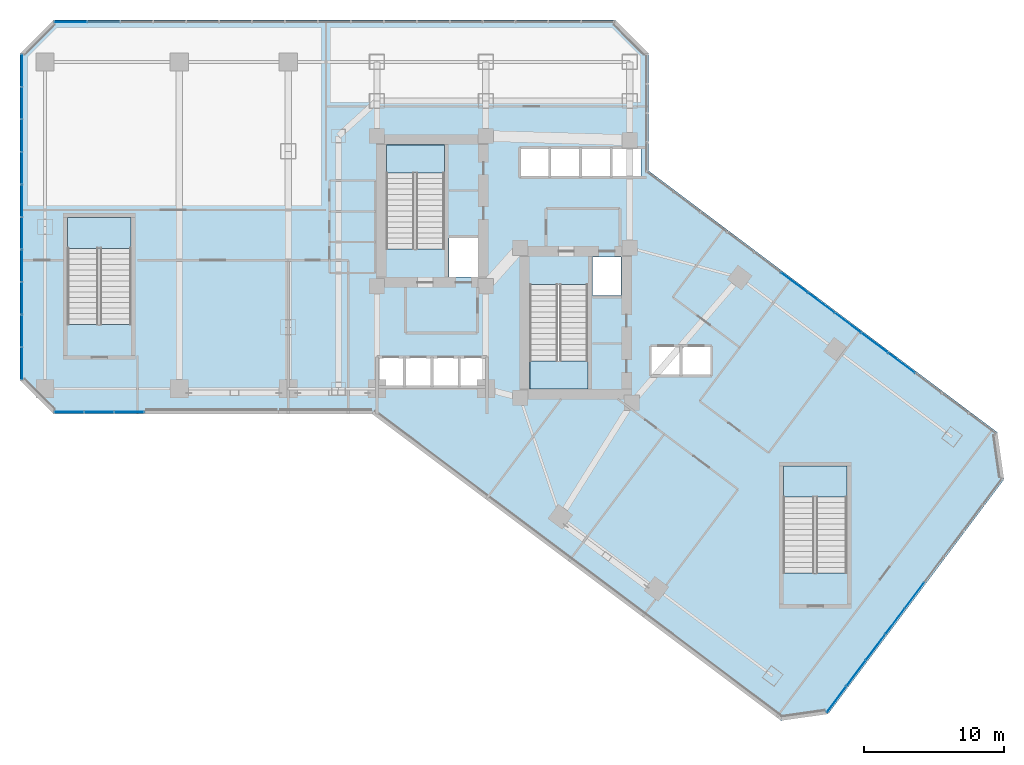
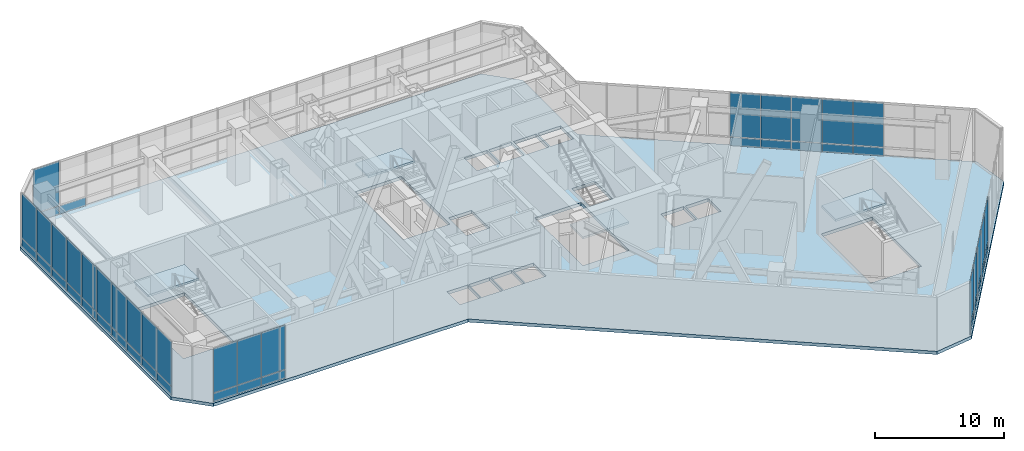
# One storey, part 24 of 35: 49 plates, 5 slabs, 9 elements without a shape of their own.
"""IFC4 building model written with IfcOpenShell, lengths in metres."""

from ifc_helpers import new_model, si_unit, direction, frame, origin, origin_2d, place, context, subcontext, project, spatial, polyline, rectangle, outline, extrude, material, layer, layer_set, type_object, element, aggregate, save


model = new_model("IFC4")

# Units and contexts
model_context = context("Model", 3, precision=1e-05, world=origin(), true_north=direction((0.0, 1.0)))
body_context = subcontext(model_context, "Body", "Model", "MODEL_VIEW")
ifc_project = project(units=[si_unit("LENGTHUNIT", "METRE"), si_unit("AREAUNIT", "SQUARE_METRE"), si_unit("VOLUMEUNIT", "CUBIC_METRE"), si_unit("PLANEANGLEUNIT", "RADIAN"), si_unit("MASSUNIT", "GRAM", prefix="KILO")], contexts=[model_context])

# Site, building, storey
site_placement = place(None, origin())
site = spatial("IfcSite", under=ifc_project, at=site_placement, CompositionType="ELEMENT")
building_placement = place(site_placement, origin())
building = spatial("IfcBuilding", under=site, at=building_placement, Name="Hatsunagi Terrace Concourse", CompositionType="ELEMENT")
storey_placement = place(building_placement, frame((0.0, 0.0, 5.39990234375)))
storey = spatial("IfcBuildingStorey", under=building, at=storey_placement, Name="L02", CompositionType="ELEMENT", Elevation=5.39990234375)

# Curtain wall, plates
ifc_material_1 = material(Name="Anodised Aluminium Alloy 6063-T5", Category="aluminium")
ifc_layer_1 = layer(ifc_material_1, 0.199951171875)
ifc_layer_set_1 = layer_set([ifc_layer_1], Name="PodiumStorefront_CW01")
curtain_wall_type = type_object("IfcCurtainWallType", Name="PodiumStorefront_CW01", PredefinedType="NOTDEFINED", material=ifc_layer_set_1)
curtain_wall_1_placement = place(storey_placement, origin())
curtain_wall_1 = element("IfcCurtainWall", 1, at=curtain_wall_1_placement, inside=storey, type_object=curtain_wall_type, Name="Unitised Curtain Wall CW-01 CW-L02-01", PredefinedType="NOTDEFINED")
ifc_material_2 = material(Name="Warm Terracotta Ceramic Spandrel Panel", Category="masonry")
ifc_layer_2 = layer(ifc_material_2, 0.031982421875)
ifc_layer_set_2 = layer_set([ifc_layer_2], Name="CurtainWallSpandrelPanel_32")
plate_type_1 = type_object("IfcPlateType", Name="CurtainWallSpandrelPanel_32", PredefinedType="SHEET", material=ifc_layer_set_2)
plate_1_placement = place(storey_placement, frame((55.424072265625, 32.806884765625, 0.030029296875), z_axis=(0.0, 0.0, 1.0), x_axis=(0.800007305671, -0.599990258982, 0.0)))
plate_1 = element("IfcPlate", 2, at=plate_1_placement, type_object=plate_type_1, Name="Terracotta Spandrel Panel SPN-01", PredefinedType="SHEET", context=body_context, shape_type="SweptSolid", body=[
    extrude(rectangle(XDim=2.345947265625, YDim=0.031982421875, at=origin_2d()), origin(), (0.0, 0.0, 1.0), 0.7900390625),
])
plate_2_placement = place(storey_placement, frame((57.344970703125, 31.365966796875, 0.030029296875), z_axis=(0.0, 0.0, 1.0), x_axis=(0.800007305671, -0.599990258982, 0.0)))
plate_2 = element("IfcPlate", 3, at=plate_2_placement, type_object=plate_type_1, Name="Terracotta Spandrel Panel SPN-01", PredefinedType="SHEET", context=body_context, shape_type="SweptSolid", body=[
    extrude(rectangle(XDim=2.345947265625, YDim=0.031982421875, at=origin_2d()), origin(), (0.0, 0.0, 1.0), 0.7900390625),
])
plate_3_placement = place(storey_placement, frame((59.26611328125, 29.926025390625, 0.030029296875), z_axis=(0.0, 0.0, 1.0), x_axis=(0.800007305671, -0.599990258982, 0.0)))
plate_3 = element("IfcPlate", 4, at=plate_3_placement, type_object=plate_type_1, Name="Terracotta Spandrel Panel SPN-01", PredefinedType="SHEET", context=body_context, shape_type="SweptSolid", body=[
    extrude(rectangle(XDim=2.345947265625, YDim=0.031982421875, at=origin_2d()), origin(), (0.0, 0.0, 1.0), 0.7900390625),
])
plate_4_placement = place(storey_placement, frame((61.18701171875, 28.485107421875, 0.030029296875), z_axis=(0.0, 0.0, 1.0), x_axis=(0.800007305671, -0.599990258982, 0.0)))
plate_4 = element("IfcPlate", 5, at=plate_4_placement, type_object=plate_type_1, Name="Terracotta Spandrel Panel SPN-01", PredefinedType="SHEET", context=body_context, shape_type="SweptSolid", body=[
    extrude(rectangle(XDim=2.345947265625, YDim=0.031982421875, at=origin_2d()), origin(), (0.0, 0.0, 1.0), 0.7900390625),
])
plate_5_placement = place(storey_placement, frame((63.10693359375, 27.044921875, 0.030029296875), z_axis=(0.0, 0.0, 1.0), x_axis=(0.800007305671, -0.599990258982, 0.0)))
plate_5 = element("IfcPlate", 6, at=plate_5_placement, type_object=plate_type_1, Name="Terracotta Spandrel Panel SPN-01", PredefinedType="SHEET", context=body_context, shape_type="SweptSolid", body=[
    extrude(rectangle(XDim=2.345947265625, YDim=0.031982421875, at=origin_2d()), origin(), (0.0, 0.0, 1.0), 0.7900390625),
])

curtain_wall_2_placement = place(storey_placement, origin())
curtain_wall_2 = element("IfcCurtainWall", 7, at=curtain_wall_2_placement, inside=storey, type_object=curtain_wall_type, Name="Unitised Curtain Wall CW-01 CW-L02-03", PredefinedType="NOTDEFINED")
plate_6_placement = place(storey_placement, frame((64.028076171875, 10.404052734375, 0.030029296875), z_axis=(0.0, 0.0, 1.0), x_axis=(-0.599969314634, -0.800023013105, 0.0)))
plate_6 = element("IfcPlate", 8, at=plate_6_placement, type_object=plate_type_1, Name="Terracotta Spandrel Panel SPN-01", PredefinedType="SHEET", context=body_context, shape_type="SweptSolid", body=[
    extrude(rectangle(XDim=2.264892578125, YDim=0.031982421875, at=origin_2d()), origin(), (0.0, 0.0, 1.0), 0.7900390625),
])
plate_7_placement = place(storey_placement, frame((62.635986328125, 8.548095703125, 0.030029296875), z_axis=(0.0, 0.0, 1.0), x_axis=(-0.599969314634, -0.800023013105, 0.0)))
plate_7 = element("IfcPlate", 9, at=plate_7_placement, type_object=plate_type_1, Name="Terracotta Spandrel Panel SPN-01", PredefinedType="SHEET", context=body_context, shape_type="SweptSolid", body=[
    extrude(rectangle(XDim=2.264892578125, YDim=0.031982421875, at=origin_2d()), origin(), (0.0, 0.0, 1.0), 0.7900390625),
])
plate_8_placement = place(storey_placement, frame((61.243896484375, 6.69091796875, 0.030029296875), z_axis=(0.0, 0.0, 1.0), x_axis=(-0.599969314634, -0.800023013105, 0.0)))
plate_8 = element("IfcPlate", 10, at=plate_8_placement, type_object=plate_type_1, Name="Terracotta Spandrel Panel SPN-01", PredefinedType="SHEET", context=body_context, shape_type="SweptSolid", body=[
    extrude(rectangle(XDim=2.264892578125, YDim=0.031982421875, at=origin_2d()), origin(), (0.0, 0.0, 1.0), 0.7900390625),
])
plate_9_placement = place(storey_placement, frame((59.85107421875, 4.8349609375, 0.030029296875), z_axis=(0.0, 0.0, 1.0), x_axis=(-0.599969314634, -0.800023013105, 0.0)))
plate_9 = element("IfcPlate", 11, at=plate_9_placement, type_object=plate_type_1, Name="Terracotta Spandrel Panel SPN-01", PredefinedType="SHEET", context=body_context, shape_type="SweptSolid", body=[
    extrude(rectangle(XDim=2.264892578125, YDim=0.031982421875, at=origin_2d()), origin(), (0.0, 0.0, 1.0), 0.7900390625),
])
plate_10_placement = place(storey_placement, frame((58.458984375, 2.97802734375, 0.030029296875), z_axis=(0.0, 0.0, 1.0), x_axis=(-0.599969314634, -0.800023013105, 0.0)))
plate_10 = element("IfcPlate", 12, at=plate_10_placement, type_object=plate_type_1, Name="Terracotta Spandrel Panel SPN-01", PredefinedType="SHEET", context=body_context, shape_type="SweptSolid", body=[
    extrude(rectangle(XDim=2.264892578125, YDim=0.031982421875, at=origin_2d()), origin(), (0.0, 0.0, 1.0), 0.7900390625),
])

curtain_wall_3_placement = place(storey_placement, origin())
curtain_wall_3 = element("IfcCurtainWall", 13, at=curtain_wall_3_placement, inside=storey, type_object=curtain_wall_type, Name="Unitised Curtain Wall CW-01 CW-L02-08", PredefinedType="NOTDEFINED")
plate_11_placement = place(storey_placement, frame((7.825927734375, 23.5400390625, 0.030029296875), z_axis=(0.0, 0.0, 1.0), x_axis=(-1.0, 0.0, 0.0)))
plate_11 = element("IfcPlate", 14, at=plate_11_placement, type_object=plate_type_1, Name="Terracotta Spandrel Panel SPN-01", PredefinedType="SHEET", context=body_context, shape_type="SweptSolid", body=[
    extrude(rectangle(XDim=2.092041015625, YDim=0.031982421875, at=origin_2d()), origin(), (0.0, 0.0, 1.0), 0.7900390625),
])
plate_12_placement = place(storey_placement, frame((5.678955078125, 23.5400390625, 0.030029296875), z_axis=(0.0, 0.0, 1.0), x_axis=(-1.0, 0.0, 0.0)))
plate_12 = element("IfcPlate", 15, at=plate_12_placement, type_object=plate_type_1, Name="Terracotta Spandrel Panel SPN-01", PredefinedType="SHEET", context=body_context, shape_type="SweptSolid", body=[
    extrude(rectangle(XDim=2.092041015625, YDim=0.031982421875, at=origin_2d()), origin(), (0.0, 0.0, 1.0), 0.7900390625),
])
plate_13_placement = place(storey_placement, frame((3.531982421875, 23.5400390625, 0.030029296875), z_axis=(0.0, 0.0, 1.0), x_axis=(-1.0, 0.0, 0.0)))
plate_13 = element("IfcPlate", 16, at=plate_13_placement, type_object=plate_type_1, Name="Terracotta Spandrel Panel SPN-01", PredefinedType="SHEET", context=body_context, shape_type="SweptSolid", body=[
    extrude(rectangle(XDim=2.092041015625, YDim=0.031982421875, at=origin_2d()), origin(), (0.0, 0.0, 1.0), 0.7900390625),
])

curtain_wall_4_placement = place(storey_placement, origin())
curtain_wall_4 = element("IfcCurtainWall", 17, at=curtain_wall_4_placement, inside=storey, type_object=curtain_wall_type, Name="Unitised Curtain Wall CW-01 CW-L02-10", PredefinedType="NOTDEFINED")
plate_14_placement = place(storey_placement, frame((0.139892578125, 27.02197265625, 0.030029296875), z_axis=(0.0, 0.0, 1.0), x_axis=(0.0, 1.0, 0.0)))
plate_14 = element("IfcPlate", 18, at=plate_14_placement, type_object=plate_type_1, Name="Terracotta Spandrel Panel SPN-01", PredefinedType="SHEET", context=body_context, shape_type="SweptSolid", body=[
    extrude(rectangle(XDim=2.27294921875, YDim=0.031982421875, at=origin_2d()), origin(), (0.0, 0.0, 1.0), 0.7900390625),
])
plate_15_placement = place(storey_placement, frame((0.139892578125, 29.35107421875, 0.030029296875), z_axis=(0.0, 0.0, 1.0), x_axis=(0.0, 1.0, 0.0)))
plate_15 = element("IfcPlate", 19, at=plate_15_placement, type_object=plate_type_1, Name="Terracotta Spandrel Panel SPN-01", PredefinedType="SHEET", context=body_context, shape_type="SweptSolid", body=[
    extrude(rectangle(XDim=2.27294921875, YDim=0.031982421875, at=origin_2d()), origin(), (0.0, 0.0, 1.0), 0.7900390625),
])
plate_16_placement = place(storey_placement, frame((0.139892578125, 31.678955078125, 0.030029296875), z_axis=(0.0, 0.0, 1.0), x_axis=(0.0, 1.0, 0.0)))
plate_16 = element("IfcPlate", 20, at=plate_16_placement, type_object=plate_type_1, Name="Terracotta Spandrel Panel SPN-01", PredefinedType="SHEET", context=body_context, shape_type="SweptSolid", body=[
    extrude(rectangle(XDim=2.27294921875, YDim=0.031982421875, at=origin_2d()), origin(), (0.0, 0.0, 1.0), 0.7900390625),
])
plate_17_placement = place(storey_placement, frame((0.139892578125, 34.007080078125, 0.030029296875), z_axis=(0.0, 0.0, 1.0), x_axis=(0.0, 1.0, 0.0)))
plate_17 = element("IfcPlate", 21, at=plate_17_placement, type_object=plate_type_1, Name="Terracotta Spandrel Panel SPN-01", PredefinedType="SHEET", context=body_context, shape_type="SweptSolid", body=[
    extrude(rectangle(XDim=2.27294921875, YDim=0.031982421875, at=origin_2d()), origin(), (0.0, 0.0, 1.0), 0.7900390625),
])
plate_18_placement = place(storey_placement, frame((0.139892578125, 36.3359375, 0.030029296875), z_axis=(0.0, 0.0, 1.0), x_axis=(0.0, 1.0, 0.0)))
plate_18 = element("IfcPlate", 22, at=plate_18_placement, type_object=plate_type_1, Name="Terracotta Spandrel Panel SPN-01", PredefinedType="SHEET", context=body_context, shape_type="SweptSolid", body=[
    extrude(rectangle(XDim=2.27294921875, YDim=0.031982421875, at=origin_2d()), origin(), (0.0, 0.0, 1.0), 0.7900390625),
])
plate_19_placement = place(storey_placement, frame((0.139892578125, 38.6640625, 0.030029296875), z_axis=(0.0, 0.0, 1.0), x_axis=(0.0, 1.0, 0.0)))
plate_19 = element("IfcPlate", 23, at=plate_19_placement, type_object=plate_type_1, Name="Terracotta Spandrel Panel SPN-01", PredefinedType="SHEET", context=body_context, shape_type="SweptSolid", body=[
    extrude(rectangle(XDim=2.27294921875, YDim=0.031982421875, at=origin_2d()), origin(), (0.0, 0.0, 1.0), 0.7900390625),
])
plate_20_placement = place(storey_placement, frame((0.139892578125, 40.992919921875, 0.030029296875), z_axis=(0.0, 0.0, 1.0), x_axis=(0.0, 1.0, 0.0)))
plate_20 = element("IfcPlate", 24, at=plate_20_placement, type_object=plate_type_1, Name="Terracotta Spandrel Panel SPN-01", PredefinedType="SHEET", context=body_context, shape_type="SweptSolid", body=[
    extrude(rectangle(XDim=2.27294921875, YDim=0.031982421875, at=origin_2d()), origin(), (0.0, 0.0, 1.0), 0.7900390625),
])
plate_21_placement = place(storey_placement, frame((0.139892578125, 43.321044921875, 0.030029296875), z_axis=(0.0, 0.0, 1.0), x_axis=(0.0, 1.0, 0.0)))
plate_21 = element("IfcPlate", 25, at=plate_21_placement, type_object=plate_type_1, Name="Terracotta Spandrel Panel SPN-01", PredefinedType="SHEET", context=body_context, shape_type="SweptSolid", body=[
    extrude(rectangle(XDim=2.27294921875, YDim=0.031982421875, at=origin_2d()), origin(), (0.0, 0.0, 1.0), 0.7900390625),
])
plate_22_placement = place(storey_placement, frame((0.139892578125, 45.64892578125, 0.030029296875), z_axis=(0.0, 0.0, 1.0), x_axis=(0.0, 1.0, 0.0)))
plate_22 = element("IfcPlate", 26, at=plate_22_placement, type_object=plate_type_1, Name="Terracotta Spandrel Panel SPN-01", PredefinedType="SHEET", context=body_context, shape_type="SweptSolid", body=[
    extrude(rectangle(XDim=2.27294921875, YDim=0.031982421875, at=origin_2d()), origin(), (0.0, 0.0, 1.0), 0.7900390625),
])
plate_23_placement = place(storey_placement, frame((0.139892578125, 47.97802734375, 0.030029296875), z_axis=(0.0, 0.0, 1.0), x_axis=(0.0, 1.0, 0.0)))
plate_23 = element("IfcPlate", 27, at=plate_23_placement, type_object=plate_type_1, Name="Terracotta Spandrel Panel SPN-01", PredefinedType="SHEET", context=body_context, shape_type="SweptSolid", body=[
    extrude(rectangle(XDim=2.27294921875, YDim=0.031982421875, at=origin_2d()), origin(), (0.0, 0.0, 1.0), 0.7900390625),
])

curtain_wall_5_placement = place(storey_placement, origin())
curtain_wall_5 = element("IfcCurtainWall", 28, at=curtain_wall_5_placement, inside=storey, type_object=curtain_wall_type, Name="Unitised Curtain Wall CW-01 CW-L02-12", PredefinedType="NOTDEFINED")
plate_24_placement = place(storey_placement, frame((3.636962890625, 51.4599609375, 0.030029296875), z_axis=(0.0, 0.0, 1.0), x_axis=(1.0, 0.0, 0.0)))
plate_24 = element("IfcPlate", 29, at=plate_24_placement, type_object=plate_type_1, Name="Terracotta Spandrel Panel SPN-01", PredefinedType="SHEET", context=body_context, shape_type="SweptSolid", body=[
    extrude(rectangle(XDim=2.302978515625, YDim=0.031982421875, at=origin_2d()), origin(), (0.0, 0.0, 1.0), 0.7900390625),
])
plate_25_placement = place(storey_placement, frame((5.9951171875, 51.4599609375, 0.030029296875), z_axis=(0.0, 0.0, 1.0), x_axis=(1.0, 0.0, 0.0)))
plate_25 = element("IfcPlate", 30, at=plate_25_placement, type_object=plate_type_1, Name="Terracotta Spandrel Panel SPN-01", PredefinedType="SHEET", context=body_context, shape_type="SweptSolid", body=[
    extrude(rectangle(XDim=2.302978515625, YDim=0.031982421875, at=origin_2d()), origin(), (0.0, 0.0, 1.0), 0.7900390625),
])

# Plate
ifc_material_3 = material(Name="Low-E Double Insulating Glass 28mm", Category="glass")
ifc_layer_3 = layer(ifc_material_3, 0.028076171875)
ifc_layer_set_3 = layer_set([ifc_layer_3], Name="CurtainWallVisionGlass_28")
plate_type_2 = type_object("IfcPlateType", Name="CurtainWallVisionGlass_28", PredefinedType="CURTAIN_PANEL", material=ifc_layer_set_3)
plate_26_placement = place(storey_placement, frame((55.424072265625, 32.806884765625, 0.880126953125), z_axis=(0.0, 0.0, 1.0), x_axis=(0.800007305671, -0.599990258982, 0.0)))
plate_26 = element("IfcPlate", 31, at=plate_26_placement, type_object=plate_type_2, Name="Low-E Vision Glass Panel GLZ-01", PredefinedType="CURTAIN_PANEL", context=body_context, shape_type="SweptSolid", body=[
    extrude(rectangle(XDim=2.345947265625, YDim=0.028076171875, at=origin_2d()), origin(), (0.0, 0.0, 1.0), 4.18994140625),
])

plate_27_placement = place(storey_placement, frame((57.344970703125, 31.365966796875, 0.880126953125), z_axis=(0.0, 0.0, 1.0), x_axis=(0.800007305671, -0.599990258982, 0.0)))
plate_27 = element("IfcPlate", 32, at=plate_27_placement, type_object=plate_type_2, Name="Low-E Vision Glass Panel GLZ-01", PredefinedType="CURTAIN_PANEL", context=body_context, shape_type="SweptSolid", body=[
    extrude(rectangle(XDim=2.345947265625, YDim=0.028076171875, at=origin_2d()), origin(), (0.0, 0.0, 1.0), 4.18994140625),
])

plate_28_placement = place(storey_placement, frame((59.26611328125, 29.926025390625, 0.880126953125), z_axis=(0.0, 0.0, 1.0), x_axis=(0.800007305671, -0.599990258982, 0.0)))
plate_28 = element("IfcPlate", 33, at=plate_28_placement, type_object=plate_type_2, Name="Low-E Vision Glass Panel GLZ-01", PredefinedType="CURTAIN_PANEL", context=body_context, shape_type="SweptSolid", body=[
    extrude(rectangle(XDim=2.345947265625, YDim=0.028076171875, at=origin_2d()), origin(), (0.0, 0.0, 1.0), 4.18994140625),
])

plate_29_placement = place(storey_placement, frame((61.18701171875, 28.485107421875, 0.880126953125), z_axis=(0.0, 0.0, 1.0), x_axis=(0.800007305671, -0.599990258982, 0.0)))
plate_29 = element("IfcPlate", 34, at=plate_29_placement, type_object=plate_type_2, Name="Low-E Vision Glass Panel GLZ-01", PredefinedType="CURTAIN_PANEL", context=body_context, shape_type="SweptSolid", body=[
    extrude(rectangle(XDim=2.345947265625, YDim=0.028076171875, at=origin_2d()), origin(), (0.0, 0.0, 1.0), 4.18994140625),
])

plate_30_placement = place(storey_placement, frame((63.10693359375, 27.044921875, 0.880126953125), z_axis=(0.0, 0.0, 1.0), x_axis=(0.800007305671, -0.599990258982, 0.0)))
plate_30 = element("IfcPlate", 35, at=plate_30_placement, type_object=plate_type_2, Name="Low-E Vision Glass Panel GLZ-01", PredefinedType="CURTAIN_PANEL", context=body_context, shape_type="SweptSolid", body=[
    extrude(rectangle(XDim=2.345947265625, YDim=0.028076171875, at=origin_2d()), origin(), (0.0, 0.0, 1.0), 4.18994140625),
])

aggregate(curtain_wall_1, [plate_1, plate_26, plate_2, plate_27, plate_3, plate_28, plate_4, plate_29, plate_5, plate_30])

plate_31_placement = place(storey_placement, frame((64.028076171875, 10.404052734375, 0.880126953125), z_axis=(0.0, 0.0, 1.0), x_axis=(-0.599969314634, -0.800023013105, 0.0)))
plate_31 = element("IfcPlate", 36, at=plate_31_placement, type_object=plate_type_2, Name="Low-E Vision Glass Panel GLZ-01", PredefinedType="CURTAIN_PANEL", context=body_context, shape_type="SweptSolid", body=[
    extrude(rectangle(XDim=2.264892578125, YDim=0.028076171875, at=origin_2d()), origin(), (0.0, 0.0, 1.0), 4.18994140625),
])

plate_32_placement = place(storey_placement, frame((62.635986328125, 8.548095703125, 0.880126953125), z_axis=(0.0, 0.0, 1.0), x_axis=(-0.599969314634, -0.800023013105, 0.0)))
plate_32 = element("IfcPlate", 37, at=plate_32_placement, type_object=plate_type_2, Name="Low-E Vision Glass Panel GLZ-01", PredefinedType="CURTAIN_PANEL", context=body_context, shape_type="SweptSolid", body=[
    extrude(rectangle(XDim=2.264892578125, YDim=0.028076171875, at=origin_2d()), origin(), (0.0, 0.0, 1.0), 4.18994140625),
])

plate_33_placement = place(storey_placement, frame((61.243896484375, 6.69091796875, 0.880126953125), z_axis=(0.0, 0.0, 1.0), x_axis=(-0.599969314634, -0.800023013105, 0.0)))
plate_33 = element("IfcPlate", 38, at=plate_33_placement, type_object=plate_type_2, Name="Low-E Vision Glass Panel GLZ-01", PredefinedType="CURTAIN_PANEL", context=body_context, shape_type="SweptSolid", body=[
    extrude(rectangle(XDim=2.264892578125, YDim=0.028076171875, at=origin_2d()), origin(), (0.0, 0.0, 1.0), 4.18994140625),
])

plate_34_placement = place(storey_placement, frame((59.85107421875, 4.8349609375, 0.880126953125), z_axis=(0.0, 0.0, 1.0), x_axis=(-0.599969314634, -0.800023013105, 0.0)))
plate_34 = element("IfcPlate", 39, at=plate_34_placement, type_object=plate_type_2, Name="Low-E Vision Glass Panel GLZ-01", PredefinedType="CURTAIN_PANEL", context=body_context, shape_type="SweptSolid", body=[
    extrude(rectangle(XDim=2.264892578125, YDim=0.028076171875, at=origin_2d()), origin(), (0.0, 0.0, 1.0), 4.18994140625),
])

plate_35_placement = place(storey_placement, frame((58.458984375, 2.97802734375, 0.880126953125), z_axis=(0.0, 0.0, 1.0), x_axis=(-0.599969314634, -0.800023013105, 0.0)))
plate_35 = element("IfcPlate", 40, at=plate_35_placement, type_object=plate_type_2, Name="Low-E Vision Glass Panel GLZ-01", PredefinedType="CURTAIN_PANEL", context=body_context, shape_type="SweptSolid", body=[
    extrude(rectangle(XDim=2.264892578125, YDim=0.028076171875, at=origin_2d()), origin(), (0.0, 0.0, 1.0), 4.18994140625),
])

aggregate(curtain_wall_2, [plate_6, plate_31, plate_7, plate_32, plate_8, plate_33, plate_9, plate_34, plate_10, plate_35])

plate_36_placement = place(storey_placement, frame((7.825927734375, 23.5400390625, 0.880126953125), z_axis=(0.0, 0.0, 1.0), x_axis=(-1.0, 0.0, 0.0)))
plate_36 = element("IfcPlate", 41, at=plate_36_placement, type_object=plate_type_2, Name="Low-E Vision Glass Panel GLZ-01", PredefinedType="CURTAIN_PANEL", context=body_context, shape_type="SweptSolid", body=[
    extrude(rectangle(XDim=2.092041015625, YDim=0.028076171875, at=origin_2d()), origin(), (0.0, 0.0, 1.0), 4.18994140625),
])

plate_37_placement = place(storey_placement, frame((5.678955078125, 23.5400390625, 0.880126953125), z_axis=(0.0, 0.0, 1.0), x_axis=(-1.0, 0.0, 0.0)))
plate_37 = element("IfcPlate", 42, at=plate_37_placement, type_object=plate_type_2, Name="Low-E Vision Glass Panel GLZ-01", PredefinedType="CURTAIN_PANEL", context=body_context, shape_type="SweptSolid", body=[
    extrude(rectangle(XDim=2.092041015625, YDim=0.028076171875, at=origin_2d()), origin(), (0.0, 0.0, 1.0), 4.18994140625),
])

plate_38_placement = place(storey_placement, frame((3.531982421875, 23.5400390625, 0.880126953125), z_axis=(0.0, 0.0, 1.0), x_axis=(-1.0, 0.0, 0.0)))
plate_38 = element("IfcPlate", 43, at=plate_38_placement, type_object=plate_type_2, Name="Low-E Vision Glass Panel GLZ-01", PredefinedType="CURTAIN_PANEL", context=body_context, shape_type="SweptSolid", body=[
    extrude(rectangle(XDim=2.092041015625, YDim=0.028076171875, at=origin_2d()), origin(), (0.0, 0.0, 1.0), 4.18994140625),
])

aggregate(curtain_wall_3, [plate_11, plate_36, plate_12, plate_37, plate_13, plate_38])

plate_39_placement = place(storey_placement, frame((0.139892578125, 27.02197265625, 0.880126953125), z_axis=(0.0, 0.0, 1.0), x_axis=(0.0, 1.0, 0.0)))
plate_39 = element("IfcPlate", 44, at=plate_39_placement, type_object=plate_type_2, Name="Low-E Vision Glass Panel GLZ-01", PredefinedType="CURTAIN_PANEL", context=body_context, shape_type="SweptSolid", body=[
    extrude(rectangle(XDim=2.27294921875, YDim=0.028076171875, at=origin_2d()), origin(), (0.0, 0.0, 1.0), 4.18994140625),
])

plate_40_placement = place(storey_placement, frame((0.139892578125, 29.35107421875, 0.880126953125), z_axis=(0.0, 0.0, 1.0), x_axis=(0.0, 1.0, 0.0)))
plate_40 = element("IfcPlate", 45, at=plate_40_placement, type_object=plate_type_2, Name="Low-E Vision Glass Panel GLZ-01", PredefinedType="CURTAIN_PANEL", context=body_context, shape_type="SweptSolid", body=[
    extrude(rectangle(XDim=2.27294921875, YDim=0.028076171875, at=origin_2d()), origin(), (0.0, 0.0, 1.0), 4.18994140625),
])

plate_41_placement = place(storey_placement, frame((0.139892578125, 31.678955078125, 0.880126953125), z_axis=(0.0, 0.0, 1.0), x_axis=(0.0, 1.0, 0.0)))
plate_41 = element("IfcPlate", 46, at=plate_41_placement, type_object=plate_type_2, Name="Low-E Vision Glass Panel GLZ-01", PredefinedType="CURTAIN_PANEL", context=body_context, shape_type="SweptSolid", body=[
    extrude(rectangle(XDim=2.27294921875, YDim=0.028076171875, at=origin_2d()), origin(), (0.0, 0.0, 1.0), 4.18994140625),
])

plate_42_placement = place(storey_placement, frame((0.139892578125, 34.007080078125, 0.880126953125), z_axis=(0.0, 0.0, 1.0), x_axis=(0.0, 1.0, 0.0)))
plate_42 = element("IfcPlate", 47, at=plate_42_placement, type_object=plate_type_2, Name="Low-E Vision Glass Panel GLZ-01", PredefinedType="CURTAIN_PANEL", context=body_context, shape_type="SweptSolid", body=[
    extrude(rectangle(XDim=2.27294921875, YDim=0.028076171875, at=origin_2d()), origin(), (0.0, 0.0, 1.0), 4.18994140625),
])

plate_43_placement = place(storey_placement, frame((0.139892578125, 36.3359375, 0.880126953125), z_axis=(0.0, 0.0, 1.0), x_axis=(0.0, 1.0, 0.0)))
plate_43 = element("IfcPlate", 48, at=plate_43_placement, type_object=plate_type_2, Name="Low-E Vision Glass Panel GLZ-01", PredefinedType="CURTAIN_PANEL", context=body_context, shape_type="SweptSolid", body=[
    extrude(rectangle(XDim=2.27294921875, YDim=0.028076171875, at=origin_2d()), origin(), (0.0, 0.0, 1.0), 4.18994140625),
])

plate_44_placement = place(storey_placement, frame((0.139892578125, 38.6640625, 0.880126953125), z_axis=(0.0, 0.0, 1.0), x_axis=(0.0, 1.0, 0.0)))
plate_44 = element("IfcPlate", 49, at=plate_44_placement, type_object=plate_type_2, Name="Low-E Vision Glass Panel GLZ-01", PredefinedType="CURTAIN_PANEL", context=body_context, shape_type="SweptSolid", body=[
    extrude(rectangle(XDim=2.27294921875, YDim=0.028076171875, at=origin_2d()), origin(), (0.0, 0.0, 1.0), 4.18994140625),
])

plate_45_placement = place(storey_placement, frame((0.139892578125, 40.992919921875, 0.880126953125), z_axis=(0.0, 0.0, 1.0), x_axis=(0.0, 1.0, 0.0)))
plate_45 = element("IfcPlate", 50, at=plate_45_placement, type_object=plate_type_2, Name="Low-E Vision Glass Panel GLZ-01", PredefinedType="CURTAIN_PANEL", context=body_context, shape_type="SweptSolid", body=[
    extrude(rectangle(XDim=2.27294921875, YDim=0.028076171875, at=origin_2d()), origin(), (0.0, 0.0, 1.0), 4.18994140625),
])

plate_46_placement = place(storey_placement, frame((0.139892578125, 43.321044921875, 0.880126953125), z_axis=(0.0, 0.0, 1.0), x_axis=(0.0, 1.0, 0.0)))
plate_46 = element("IfcPlate", 51, at=plate_46_placement, type_object=plate_type_2, Name="Low-E Vision Glass Panel GLZ-01", PredefinedType="CURTAIN_PANEL", context=body_context, shape_type="SweptSolid", body=[
    extrude(rectangle(XDim=2.27294921875, YDim=0.028076171875, at=origin_2d()), origin(), (0.0, 0.0, 1.0), 4.18994140625),
])

plate_47_placement = place(storey_placement, frame((0.139892578125, 45.64892578125, 0.880126953125), z_axis=(0.0, 0.0, 1.0), x_axis=(0.0, 1.0, 0.0)))
plate_47 = element("IfcPlate", 52, at=plate_47_placement, type_object=plate_type_2, Name="Low-E Vision Glass Panel GLZ-01", PredefinedType="CURTAIN_PANEL", context=body_context, shape_type="SweptSolid", body=[
    extrude(rectangle(XDim=2.27294921875, YDim=0.028076171875, at=origin_2d()), origin(), (0.0, 0.0, 1.0), 4.18994140625),
])

plate_48_placement = place(storey_placement, frame((0.139892578125, 47.97802734375, 0.880126953125), z_axis=(0.0, 0.0, 1.0), x_axis=(0.0, 1.0, 0.0)))
plate_48 = element("IfcPlate", 53, at=plate_48_placement, type_object=plate_type_2, Name="Low-E Vision Glass Panel GLZ-01", PredefinedType="CURTAIN_PANEL", context=body_context, shape_type="SweptSolid", body=[
    extrude(rectangle(XDim=2.27294921875, YDim=0.028076171875, at=origin_2d()), origin(), (0.0, 0.0, 1.0), 4.18994140625),
])

aggregate(curtain_wall_4, [plate_14, plate_39, plate_15, plate_40, plate_16, plate_41, plate_17, plate_42, plate_18, plate_43, plate_19, plate_44, plate_20, plate_45, plate_21, plate_46, plate_22, plate_47, plate_23, plate_48])

plate_49_placement = place(storey_placement, frame((3.636962890625, 51.4599609375, 0.880126953125), z_axis=(0.0, 0.0, 1.0), x_axis=(1.0, 0.0, 0.0)))
plate_49 = element("IfcPlate", 54, at=plate_49_placement, type_object=plate_type_2, Name="Low-E Vision Glass Panel GLZ-01", PredefinedType="CURTAIN_PANEL", context=body_context, shape_type="SweptSolid", body=[
    extrude(rectangle(XDim=2.302978515625, YDim=0.028076171875, at=origin_2d()), origin(), (0.0, 0.0, 1.0), 4.18994140625),
])

aggregate(curtain_wall_5, [plate_24, plate_49, plate_25])

# Stair, slab
ifc_material_4 = material(Name="Concrete Fc42", Category="concrete")
stair_type_1 = type_object("IfcStairType", Name="DoglegExitStair_Podium2200_30R_180", PredefinedType="HALF_TURN_STAIR", material=ifc_material_4)
stair_1_placement = place(storey_placement, origin())
stair_1 = element("IfcStair", 55, at=stair_1_placement, inside=storey, type_object=stair_type_1, Name="L02 West Podium Convention Exit Stair ST-P1", PredefinedType="HALF_TURN_STAIR")
ifc_material_5 = material(Name="Concrete Fc42", Category="concrete")
ifc_layer_4 = layer(ifc_material_5, 0.199951171875)
ifc_layer_set_4 = layer_set([ifc_layer_4], Name="DoglegStairLanding_Podium2200")
slab_type_1 = type_object("IfcSlabType", Name="DoglegStairLanding_Podium2200", PredefinedType="LANDING", material=ifc_layer_set_4)
slab_1_placement = place(storey_placement, frame((0.0, 0.0, 2.5)))
slab_1 = element("IfcSlab", 56, at=slab_1_placement, type_object=slab_type_1, Name="ST-P1 landing 1", PredefinedType="LANDING", context=body_context, shape_type="SweptSolid", body=[
    extrude(outline(polyline([(7.949951171875, 35.260009765625), (7.949951171875, 37.4599609375), (3.39990234375, 37.4599609375), (3.39990234375, 35.260009765625), (7.949951171875, 35.260009765625)])), origin(), (0.0, 0.0, 1.0), 0.2001953125),
])
aggregate(stair_1, [slab_1])

stair_2_placement = place(storey_placement, origin())
stair_2 = element("IfcStair", 57, at=stair_2_placement, inside=storey, type_object=stair_type_1, Name="L02 Southeast Podium Ballroom Exit Stair ST-P2", PredefinedType="HALF_TURN_STAIR")
slab_2_placement = place(storey_placement, frame((0.0, 0.0, 2.5)))
slab_2 = element("IfcSlab", 58, at=slab_2_placement, type_object=slab_type_1, Name="ST-P2 landing 1", PredefinedType="LANDING", context=body_context, shape_type="SweptSolid", body=[
    extrude(outline(polyline([(59.199951171875, 17.4599609375), (59.199951171875, 19.659912109375), (54.64990234375, 19.659912109375), (54.64990234375, 17.4599609375), (59.199951171875, 17.4599609375)])), origin(), (0.0, 0.0, 1.0), 0.2001953125),
])
aggregate(stair_2, [slab_2])

ifc_material_6 = material(Name="Concrete Fc42", Category="concrete")
stair_type_2 = type_object("IfcStairType", Name="DoglegExitStair_Tower2000_30R_180", PredefinedType="HALF_TURN_STAIR", material=ifc_material_6)
stair_3_placement = place(storey_placement, origin())
stair_3 = element("IfcStair", 59, at=stair_3_placement, inside=storey, type_object=stair_type_2, Name="L02 Core A Protected Exit Stair ST-A", PredefinedType="HALF_TURN_STAIR")
ifc_material_7 = material(Name="Concrete Fc42", Category="concrete")
ifc_layer_5 = layer(ifc_material_7, 0.199951171875)
ifc_layer_set_5 = layer_set([ifc_layer_5], Name="DoglegStairLanding_Tower2000")
slab_type_2 = type_object("IfcSlabType", Name="DoglegStairLanding_Tower2000", PredefinedType="LANDING", material=ifc_layer_set_5)
slab_3_placement = place(storey_placement, frame((0.0, 0.0, 2.5)))
slab_3 = element("IfcSlab", 60, at=slab_3_placement, type_object=slab_type_2, Name="ST-A landing 1", PredefinedType="LANDING", context=body_context, shape_type="SweptSolid", body=[
    extrude(outline(polyline([(30.3798828125, 40.659912109375), (30.3798828125, 42.659912109375), (26.22998046875, 42.659912109375), (26.22998046875, 40.659912109375), (30.3798828125, 40.659912109375)])), origin(), (0.0, 0.0, 1.0), 0.2001953125),
])
aggregate(stair_3, [slab_3])

stair_4_placement = place(storey_placement, origin())
stair_4 = element("IfcStair", 61, at=stair_4_placement, inside=storey, type_object=stair_type_2, Name="L02 Core B Protected Exit Stair ST-B", PredefinedType="HALF_TURN_STAIR")
slab_4_placement = place(storey_placement, frame((0.0, 0.0, 2.5)))
slab_4 = element("IfcSlab", 62, at=slab_4_placement, type_object=slab_type_2, Name="ST-B landing 1", PredefinedType="LANDING", context=body_context, shape_type="SweptSolid", body=[
    extrude(outline(polyline([(36.5, 27.199951171875), (36.5, 25.199951171875), (40.64990234375, 25.199951171875), (40.64990234375, 27.199951171875), (36.5, 27.199951171875)])), origin(), (0.0, 0.0, 1.0), 0.2001953125),
])
aggregate(stair_4, [slab_4])

# Slab
ifc_material_8 = material(Name="Concrete Fc42", Category="concrete")
ifc_layer_6 = layer(ifc_material_8, 0.300048828125)
ifc_layer_set_6 = layer_set([ifc_layer_6], Name="PodiumTransferSlab_Fc42_300")
slab_type_3 = type_object("IfcSlabType", Name="PodiumTransferSlab_Fc42_300", PredefinedType="FLOOR", material=ifc_layer_set_6)
slab_5_placement = place(storey_placement, frame((0.0, 0.0, -0.2998046875)))
element("IfcSlab", 63, at=slab_5_placement, inside=storey, type_object=slab_type_3, Name="Floor Slab SL-300 L02", PredefinedType="FLOOR", context=body_context, shape_type="SweptSolid", body=[
    extrude(outline(polyline([(45.0, 40.800048828125), (45.0, 49.199951171875), (42.60009765625, 51.60009765625), (2.39990234375, 51.60009765625), (0.0, 49.199951171875), (0.0, 25.800048828125), (2.39990234375, 23.39990234375), (25.199951171875, 23.39990234375), (54.47998046875, 1.43994140625), (57.840087890625, 1.919921875), (70.43994140625, 18.719970703125), (69.9599609375, 22.080078125), (45.0, 40.800048828125)]), holes=[polyline([(26.22998046875, 35.205078125), (30.3798828125, 35.205078125), (30.3798828125, 42.659912109375), (26.22998046875, 42.659912109375), (26.22998046875, 35.205078125)]), polyline([(36.5, 25.199951171875), (40.64990234375, 25.199951171875), (40.64990234375, 32.655029296875), (36.5, 32.655029296875), (36.5, 25.199951171875)]), polyline([(3.39990234375, 29.804931640625), (7.949951171875, 29.804931640625), (7.949951171875, 37.4599609375), (3.39990234375, 37.4599609375), (3.39990234375, 29.804931640625)]), polyline([(54.64990234375, 12.0048828125), (59.199951171875, 12.0048828125), (59.199951171875, 19.659912109375), (54.64990234375, 19.659912109375), (54.64990234375, 12.0048828125)]), polyline([(30.719970703125, 33.219970703125), (32.780029296875, 33.219970703125), (32.780029296875, 35.97998046875), (30.719970703125, 35.97998046875), (30.719970703125, 33.219970703125)]), polyline([(40.97998046875, 31.8798828125), (43.02001953125, 31.8798828125), (43.02001953125, 34.639892578125), (40.97998046875, 34.639892578125), (40.97998046875, 31.8798828125)]), polyline([(25.6201171875, 25.39990234375), (27.47998046875, 25.39990234375), (27.47998046875, 27.39990234375), (25.6201171875, 27.39990234375), (25.6201171875, 25.39990234375)]), polyline([(27.580078125, 25.39990234375), (29.43994140625, 25.39990234375), (29.43994140625, 27.39990234375), (27.580078125, 27.39990234375), (27.580078125, 25.39990234375)]), polyline([(29.5400390625, 25.39990234375), (31.39990234375, 25.39990234375), (31.39990234375, 27.39990234375), (29.5400390625, 27.39990234375), (29.5400390625, 25.39990234375)]), polyline([(31.5, 25.39990234375), (33.360107421875, 25.39990234375), (33.360107421875, 27.39990234375), (31.5, 27.39990234375), (31.5, 25.39990234375)]), polyline([(35.800048828125, 40.39990234375), (37.85009765625, 40.39990234375), (37.85009765625, 42.39990234375), (35.800048828125, 42.39990234375), (35.800048828125, 40.39990234375)]), polyline([(38.0, 40.39990234375), (40.050048828125, 40.39990234375), (40.050048828125, 42.39990234375), (38.0, 42.39990234375), (38.0, 40.39990234375)]), polyline([(40.199951171875, 40.39990234375), (42.25, 40.39990234375), (42.25, 42.39990234375), (40.199951171875, 42.39990234375), (40.199951171875, 40.39990234375)]), polyline([(42.39990234375, 40.39990234375), (44.449951171875, 40.39990234375), (44.449951171875, 42.39990234375), (42.39990234375, 42.39990234375), (42.39990234375, 40.39990234375)]), polyline([(45.199951171875, 26.199951171875), (47.25, 26.199951171875), (47.25, 28.199951171875), (45.199951171875, 28.199951171875), (45.199951171875, 26.199951171875)]), polyline([(47.39990234375, 26.199951171875), (49.449951171875, 26.199951171875), (49.449951171875, 28.199951171875), (47.39990234375, 28.199951171875), (47.39990234375, 26.199951171875)])]), origin(), (0.0, 0.0, 1.0), 0.2998046875),
])

save(model, "model.ifc")
